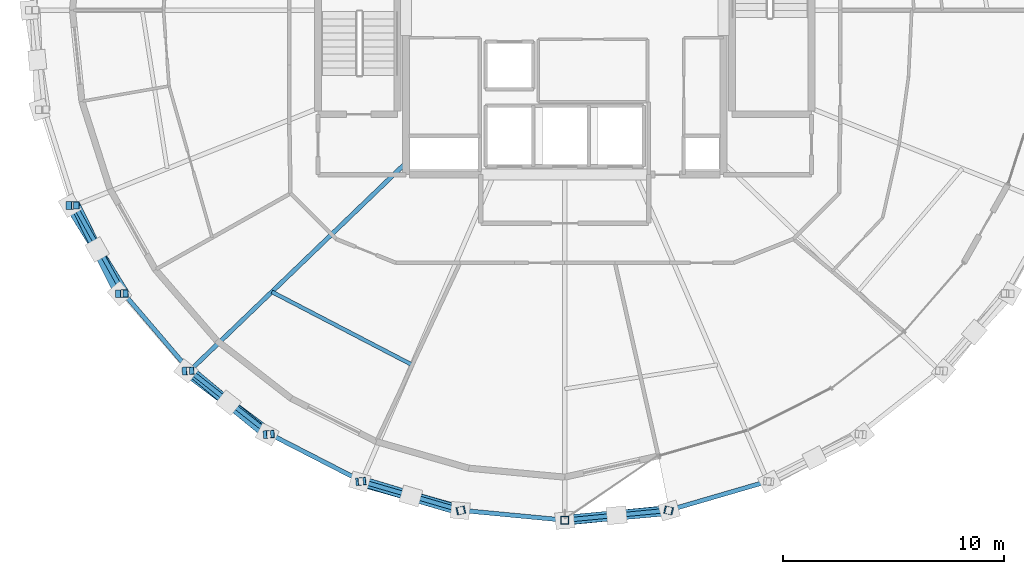
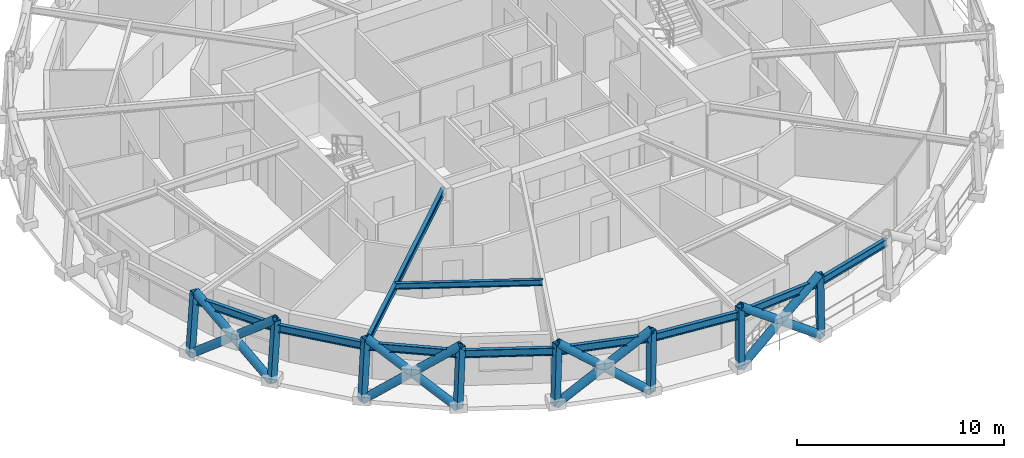
# One storey, part 1 of 18: 20 members, 10 beams.
"""IFC4 building model written with IfcOpenShell, lengths in metres."""

import ifcopenshell
import ifcopenshell.guid

model = None  # the IFC model being written
_history = None  # IfcOwnerHistory: only IFC2X3 demands one
_inside = {}  # id of a spatial element -> (the spatial element, [elements in it])
_under = {}  # id of a project, library or spatial element -> (it, [spatial elements below it])
_declared = {}  # id of a project -> (the project, [libraries it declares])
_typed = {}  # id of a type object -> (the type object, [elements of that type])
_made_of = {}  # id of a material, layer set ... -> (it, [elements and type objects made of it])


def new_model(schema):
    """Start an empty IFC model of exactly this schema.

    Asked for "IFC4X3", IfcOpenShell would pick the latest addendum, in which some entities
    have other attributes; the version numbers below select the first issue.
    IFC2X3 requires an IfcOwnerHistory on every rooted entity: one is made here for all.
    """
    global model, _history
    if schema == "IFC4X3":
        model = ifcopenshell.file(schema_version=(4, 3, 0, 0))
    else:
        model = ifcopenshell.file(schema=schema)
    _inside.clear()
    _under.clear()
    _declared.clear()
    _typed.clear()
    _made_of.clear()
    _history = None
    if model.schema == "IFC2X3":
        org = make("IfcOrganization", Name="unknown")
        user = make(
            "IfcPersonAndOrganization",
            ThePerson=make("IfcPerson", FamilyName="unknown"),
            TheOrganization=org,
        )
        app = make(
            "IfcApplication",
            ApplicationDeveloper=org,
            Version="unknown",
            ApplicationFullName="unknown",
            ApplicationIdentifier="unknown",
        )
        _history = make(
            "IfcOwnerHistory",
            OwningUser=user,
            OwningApplication=app,
            ChangeAction="ADDED",
            CreationDate=0,
        )
    return model


def make(cls, **values):
    """One entity of the class cls with the attributes given. An attribute that is None is left unset."""
    return model.create_entity(
        cls, **{name: value for name, value in values.items() if value is not None}
    )


def rooted(cls, **values):
    """An entity with a GlobalId (a new one), such as an element, a storey or a relation."""
    return make(cls, GlobalId=ifcopenshell.guid.new(), OwnerHistory=_history, **values)


def si_unit(unit_type, name, prefix=None):
    """IfcSIUnit, for example si_unit("LENGTHUNIT", "METRE", prefix="MILLI")."""
    return make("IfcSIUnit", UnitType=unit_type, Prefix=prefix, Name=name)


def assignment(units):
    """IfcUnitAssignment: the units of a project."""
    return None if units is None else make("IfcUnitAssignment", Units=units)


def point(xyz):
    """IfcCartesianPoint."""
    return None if xyz is None else make("IfcCartesianPoint", Coordinates=xyz)


def direction(xyz):
    """IfcDirection."""
    return None if xyz is None else make("IfcDirection", DirectionRatios=xyz)


def frame(location, z_axis=None, x_axis=None):
    """IfcAxis2Placement3D, a coordinate frame: its origin and axes. An axis left out is left unset."""
    return make(
        "IfcAxis2Placement3D",
        Location=point(location),
        Axis=direction(z_axis),
        RefDirection=direction(x_axis),
    )


def frame_2d(location, x_axis=None):
    """IfcAxis2Placement2D, a coordinate frame in the plane: its origin and x axis."""
    return make(
        "IfcAxis2Placement2D", Location=point(location), RefDirection=direction(x_axis)
    )


def origin():
    """The frame at (0, 0, 0) with its axes left unset."""
    return frame((0.0, 0.0, 0.0))


def origin_2d():
    """The frame at (0, 0) in the plane with its x axis left unset."""
    return frame_2d((0.0, 0.0))


def place(relative_to, where):
    """IfcLocalPlacement: puts the frame where relative to a parent placement (None: the world)."""
    return make(
        "IfcLocalPlacement", PlacementRelTo=relative_to, RelativePlacement=where
    )


def context(
    kind, dimensions, precision=None, world=None, true_north=None, identifier=None
):
    """IfcGeometricRepresentationContext, for example the 3D "Model" context."""
    return make(
        "IfcGeometricRepresentationContext",
        ContextIdentifier=identifier,
        ContextType=kind,
        CoordinateSpaceDimension=dimensions,
        Precision=precision,
        WorldCoordinateSystem=world,
        TrueNorth=true_north,
    )


def subcontext(parent, identifier, kind, view, scale=None):
    """IfcGeometricRepresentationSubContext, for example "Body" below "Model"."""
    return make(
        "IfcGeometricRepresentationSubContext",
        ContextIdentifier=identifier,
        ContextType=kind,
        ParentContext=parent,
        TargetScale=scale,
        TargetView=view,
    )


def project(units=None, contexts=None):
    """IfcProject with its units and contexts."""
    return rooted(
        "IfcProject",
        Name="project",
        RepresentationContexts=contexts,
        UnitsInContext=assignment(units),
    )


def spatial(cls, under=None, at=None, **own):
    """A site, building, storey or space (cls), placed at a placement, below another one or the project."""
    s = rooted(cls, ObjectPlacement=at, **own)
    if under is not None:
        _under.setdefault(under.id(), (under, []))[1].append(s)
    return s


def profile(cls, at=None, kind="AREA", **sizes):
    """A parametric profile (cls). Its sizes go by their IFC names, for example OverallWidth=200.0."""
    return make(cls, ProfileType=kind, Position=at, **sizes)


def hollow_rectangle(**sizes):
    """IfcRectangleHollowProfileDef."""
    return profile("IfcRectangleHollowProfileDef", **sizes)


def hollow_circle(**sizes):
    """IfcCircleHollowProfileDef."""
    return profile("IfcCircleHollowProfileDef", **sizes)


def i_section(**sizes):
    """IfcIShapeProfileDef."""
    return profile("IfcIShapeProfileDef", **sizes)


def extrude(swept, where, along, depth):
    """IfcExtrudedAreaSolid: the profile swept, set in the frame where, extruded along a direction by depth."""
    return make(
        "IfcExtrudedAreaSolid",
        SweptArea=swept,
        Position=where,
        ExtrudedDirection=direction(along),
        Depth=depth,
    )


def shape(context_of_items, identifier, shape_type, items):
    """IfcShapeRepresentation: the items that make up one representation, for example the "Body"."""
    return make(
        "IfcShapeRepresentation",
        ContextOfItems=context_of_items,
        RepresentationIdentifier=identifier,
        RepresentationType=shape_type,
        Items=items,
    )


def material(Name=None, Category=None):
    """IfcMaterial."""
    return make("IfcMaterial", Name=Name, Category=Category)


def material_profile(
    of_material, cross_section, Name=None, Category=None, Priority=None
):
    """IfcMaterialProfile: a cross section and its material."""
    return make(
        "IfcMaterialProfile",
        Name=Name,
        Material=of_material,
        Profile=cross_section,
        Priority=Priority,
        Category=Category,
    )


def profile_set(profiles, Name=None, composite=None):
    """IfcMaterialProfileSet."""
    return make(
        "IfcMaterialProfileSet",
        Name=Name,
        MaterialProfiles=profiles,
        CompositeProfile=composite,
    )


def made_of(thing, what):
    """Note that an element or type object is made of a material, layer set ...; save() writes the relation."""
    if what is not None:
        _made_of.setdefault(what.id(), (what, []))[1].append(thing)
    return thing


def type_object(cls, material=None, **own):
    """A type object (cls), such as IfcWallType, which elements share."""
    return made_of(rooted(cls, **own), material)


def element(
    cls,
    number,
    at=None,
    inside=None,
    cuts=None,
    type_object=None,
    material=None,
    context=None,
    identifier="Body",
    shape_type=None,
    held_by="IfcProductDefinitionShape",
    body=None,
    shapes=None,
    **own,
):
    """One element of the class cls, such as IfcWall. Its Tag is "e" and its number.

    at: its placement. inside: the storey or other place that contains it. cuts: it is an
    opening in that element (IfcRelVoidsElement). A single representation is given by context,
    identifier, shape_type and body (its items); several are given by shapes. held_by: the class
    of the entity that holds the representations. save() writes the other relations.
    """
    e = rooted(cls, Tag="e%d" % number, ObjectPlacement=at, **own)
    if body is not None:
        shapes = [shape(context, identifier, shape_type, body)]
    if shapes is not None:
        e.Representation = make(held_by, Representations=shapes)
    if inside is not None:
        _inside.setdefault(inside.id(), (inside, []))[1].append(e)
    if cuts is not None:
        rooted(
            "IfcRelVoidsElement", RelatingBuildingElement=cuts, RelatedOpeningElement=e
        )
    if type_object is not None:
        _typed.setdefault(type_object.id(), (type_object, []))[1].append(e)
    return made_of(e, material)


def aggregate(whole, parts):
    """IfcRelAggregates: a whole, such as a stair, and the parts it consists of."""
    return rooted("IfcRelAggregates", RelatingObject=whole, RelatedObjects=parts)


def save(model, path):
    """Write the relations noted so far, then the file.

    IfcRelAggregates (storeys below a building ...), IfcRelContainedInSpatialStructure (elements
    in a storey), IfcRelDefinesByType, IfcRelAssociatesMaterial and IfcRelDeclares: one each for
    every whole, place, type object, material and project.
    """
    for whole, parts in _under.values():
        aggregate(whole, parts)
    for where, things in _inside.values():
        rooted(
            "IfcRelContainedInSpatialStructure",
            RelatedElements=things,
            RelatingStructure=where,
        )
    for kind, things in _typed.values():
        rooted("IfcRelDefinesByType", RelatedObjects=things, RelatingType=kind)
    for what, things in _made_of.values():
        rooted("IfcRelAssociatesMaterial", RelatedObjects=things, RelatingMaterial=what)
    for by, libraries in _declared.values():
        rooted("IfcRelDeclares", RelatingContext=by, RelatedDefinitions=libraries)
    model.write(path)


model = new_model("IFC4")

# Units and contexts
model_context = context("Model", 3, precision=1e-05, world=origin(), true_north=direction((0.0, 1.0)))
body_context = subcontext(model_context, "Body", "Model", "MODEL_VIEW")
ifc_project = project(units=[si_unit("LENGTHUNIT", "METRE"), si_unit("AREAUNIT", "SQUARE_METRE"), si_unit("VOLUMEUNIT", "CUBIC_METRE"), si_unit("PLANEANGLEUNIT", "RADIAN"), si_unit("MASSUNIT", "GRAM", prefix="KILO")], contexts=[model_context])

# Site, building, storey
site_placement = place(None, origin())
site = spatial("IfcSite", under=ifc_project, at=site_placement, CompositionType="ELEMENT")
building_placement = place(site_placement, origin())
building = spatial("IfcBuilding", under=site, at=building_placement, Name="Veldorina Hangang Commons", CompositionType="ELEMENT")
storey_placement = place(building_placement, frame((0.0, 0.0, 232.800048828125)))
storey = spatial("IfcBuildingStorey", under=building, at=storey_placement, Name="L60", CompositionType="ELEMENT", Elevation=232.800048828125)

# Beams
ifc_material = material(Name="Steel SM355-TMC", Category="steel")
ifc_material_profile_1 = material_profile(ifc_material, i_section(OverallWidth=0.199951171875, OverallDepth=0.39990234375, WebThickness=0.008056640625, FlangeThickness=0.012939453125, FilletRadius=0.012939453125, at=origin_2d()), Name="H-400x200x8x13")
ifc_profile_set_1 = profile_set([ifc_material_profile_1], Name="Steel SM355-TMC")
beam_type_1 = type_object("IfcBeamType", Name="BM-FG400", PredefinedType="BEAM", material=ifc_profile_set_1)
beam_1_placement = place(storey_placement, frame((24.800048828125, 17.07666015625, 3.159912109375), z_axis=(-0.720817870164, -0.693124518433, 0.0), x_axis=(0.693124518433, -0.720817870164, 0.0)))
element("IfcBeam", 1, at=beam_1_placement, inside=storey, type_object=beam_type_1, Name="L60 radial floor girder 11", PredefinedType="BEAM", context=body_context, shape_type="SweptSolid", body=[
    extrude(i_section(OverallWidth=0.199951171875, OverallDepth=0.39990234375, WebThickness=0.008056640625, FlangeThickness=0.012939453125, FilletRadius=0.012939453125, at=origin_2d()), origin(), (0.0, 0.0, 1.0), 13.585205078125),
])
ifc_material_profile_2 = material_profile(ifc_material, i_section(OverallWidth=0.175048828125, OverallDepth=0.35009765625, WebThickness=0.007080078125, FlangeThickness=0.010986328125, FilletRadius=0.012939453125, at=origin_2d()), Name="H-350x175x7x11")
ifc_profile_set_2 = profile_set([ifc_material_profile_2], Name="Steel SM355-TMC")
beam_type_2 = type_object("IfcBeamType", Name="BM-JST350", PredefinedType="JOIST", material=ifc_profile_set_2)
beam_2_placement = place(storey_placement, frame((18.728759765625, 11.238525390625, 3.18505859375), z_axis=(0.887010120616, -0.461749982051, 0.0), x_axis=(0.461749982051, 0.887010120616, 0.0)))
element("IfcBeam", 2, at=beam_2_placement, inside=storey, type_object=beam_type_2, Name="L60 secondary floor joist 11", PredefinedType="JOIST", context=body_context, shape_type="SweptSolid", body=[
    extrude(i_section(OverallWidth=0.175048828125, OverallDepth=0.35009765625, WebThickness=0.007080078125, FlangeThickness=0.010986328125, FilletRadius=0.012939453125, at=origin_2d()), origin(), (0.0, 0.0, 1.0), 7.158935546875),
])
ifc_material_profile_3 = material_profile(ifc_material, i_section(OverallWidth=0.199951171875, OverallDepth=0.449951171875, WebThickness=0.009033203125, FlangeThickness=0.013916015625, FilletRadius=0.01611328125, at=origin_2d()), Name="H-450x200x9x14")
ifc_profile_set_3 = profile_set([ifc_material_profile_3], Name="Steel SM355-TMC")
beam_type_3 = type_object("IfcBeamType", Name="BM-RB450", PredefinedType="BEAM", material=ifc_profile_set_3)
beam_3_placement = place(storey_placement, frame((9.798095703125, 15.156982421875, 3.135009765625), z_axis=(0.485865143096, -0.874033788091, 0.0), x_axis=(0.874033788091, 0.485865143096, 0.0)))
element("IfcBeam", 3, at=beam_3_placement, inside=storey, type_object=beam_type_3, Name="L60 perimeter hoop ring beam 18", PredefinedType="BEAM", context=body_context, shape_type="SweptSolid", body=[
    extrude(i_section(OverallWidth=0.199951171875, OverallDepth=0.449951171875, WebThickness=0.009033203125, FlangeThickness=0.013916015625, FilletRadius=0.01611328125, at=origin_2d()), origin(), (0.0, 0.0, 1.0), 4.570556640625),
])
beam_4_placement = place(storey_placement, frame((12.018798828125, 11.162109375, 3.135009765625), z_axis=(0.649200277613, -0.760617511991, 0.0), x_axis=(0.760617511991, 0.649200277613, 0.0)))
element("IfcBeam", 4, at=beam_4_placement, inside=storey, type_object=beam_type_3, Name="L60 perimeter hoop ring beam 19", PredefinedType="BEAM", context=body_context, shape_type="SweptSolid", body=[
    extrude(i_section(OverallWidth=0.199951171875, OverallDepth=0.449951171875, WebThickness=0.009033203125, FlangeThickness=0.013916015625, FilletRadius=0.01611328125, at=origin_2d()), origin(), (0.0, 0.0, 1.0), 4.603759765625),
])
beam_5_placement = place(storey_placement, frame((15.007568359375, 7.660400390625, 3.135009765625), z_axis=(0.785005340237, -0.619488995705, 0.0), x_axis=(0.619488995705, 0.785005340237, 0.0)))
element("IfcBeam", 5, at=beam_5_placement, inside=storey, type_object=beam_type_3, Name="L60 perimeter hoop ring beam 20", PredefinedType="BEAM", context=body_context, shape_type="SweptSolid", body=[
    extrude(i_section(OverallWidth=0.199951171875, OverallDepth=0.449951171875, WebThickness=0.009033203125, FlangeThickness=0.013916015625, FilletRadius=0.01611328125, at=origin_2d()), origin(), (0.0, 0.0, 1.0), 4.638916015625),
])
beam_6_placement = place(storey_placement, frame((18.649169921875, 4.78662109375, 3.135009765625), z_axis=(0.889406812659, -0.457116529559, 0.0), x_axis=(0.457116529559, 0.889406812659, 0.0)))
element("IfcBeam", 6, at=beam_6_placement, inside=storey, type_object=beam_type_3, Name="L60 perimeter hoop ring beam 21", PredefinedType="BEAM", context=body_context, shape_type="SweptSolid", body=[
    extrude(i_section(OverallWidth=0.199951171875, OverallDepth=0.449951171875, WebThickness=0.009033203125, FlangeThickness=0.013916015625, FilletRadius=0.01611328125, at=origin_2d()), origin(), (0.0, 0.0, 1.0), 4.671142578125),
])
beam_7_placement = place(storey_placement, frame((22.8037109375, 2.6513671875, 3.135009765625), z_axis=(0.959994759243, -0.280017967684, 0.0), x_axis=(0.280017967684, 0.959994759243, 0.0)))
element("IfcBeam", 7, at=beam_7_placement, inside=storey, type_object=beam_type_3, Name="L60 perimeter hoop ring beam 22", PredefinedType="BEAM", context=body_context, shape_type="SweptSolid", body=[
    extrude(i_section(OverallWidth=0.199951171875, OverallDepth=0.449951171875, WebThickness=0.009033203125, FlangeThickness=0.013916015625, FilletRadius=0.01611328125, at=origin_2d()), origin(), (0.0, 0.0, 1.0), 4.69580078125),
])
for number, where, z_axis, x_axis, name in (
    (8, (27.311767578125, 1.33642578125, 3.135009765625), (0.995543575361, -0.094302648731, 0.0), (0.094302648731, 0.995543575361, 0.0), "L60 perimeter hoop ring beam 23"),
    (9, (32.0, 0.892333984375, 3.135009765625), (0.995543575361, 0.094302648731, 0.0), (-0.094302648731, 0.995543575361, 0.0), "L60 perimeter hoop ring beam 24"),
):
    element("IfcBeam", number, at=place(storey_placement, frame(where, z_axis=z_axis, x_axis=x_axis)), inside=storey, type_object=beam_type_3, Name=name, PredefinedType="BEAM", context=body_context, shape_type="SweptSolid", body=[
        extrude(i_section(OverallWidth=0.199951171875, OverallDepth=0.449951171875, WebThickness=0.009033203125, FlangeThickness=0.013916015625, FilletRadius=0.01611328125, at=origin_2d()), origin(), (0.0, 0.0, 1.0), 4.709228515625),
    ])
beam_8_placement = place(storey_placement, frame((36.688232421875, 1.33642578125, 3.135009765625), z_axis=(0.959994759243, 0.280017967684, 0.0), x_axis=(-0.280017967684, 0.959994759243, 0.0)))
element("IfcBeam", 10, at=beam_8_placement, inside=storey, type_object=beam_type_3, Name="L60 perimeter hoop ring beam 25", PredefinedType="BEAM", context=body_context, shape_type="SweptSolid", body=[
    extrude(i_section(OverallWidth=0.199951171875, OverallDepth=0.449951171875, WebThickness=0.009033203125, FlangeThickness=0.013916015625, FilletRadius=0.01611328125, at=origin_2d()), origin(), (0.0, 0.0, 1.0), 4.69580078125),
])

# Members
ifc_material_profile_4 = material_profile(ifc_material, hollow_circle(Radius=0.22509765625, WallThickness=0.02197265625, at=origin_2d()), Name="CHS-450x22")
ifc_profile_set_4 = profile_set([ifc_material_profile_4], Name="Steel SM355-TMC")
member_type_1 = type_object("IfcMemberType", Name="DG-CHS450", PredefinedType="BRACE", material=ifc_profile_set_4)
member_1_placement = place(storey_placement, frame((9.581298828125, 15.153076171875, 0.0), z_axis=(0.417133330205, -0.674812149744, 0.608792532304), x_axis=(0.850607689208, 0.525800873964, 0.0)))
element("IfcMember", 11, at=member_1_placement, inside=storey, type_object=member_type_1, Name="L60 continuous perimeter diagrid brace 18", PredefinedType="BRACE", context=body_context, shape_type="SweptSolid", body=[
    extrude(hollow_circle(Radius=0.22509765625, WallThickness=0.02197265625, at=origin_2d()), origin(), (0.0, 0.0, 1.0), 5.9130859375),
])
member_2_placement = place(storey_placement, frame((11.823486328125, 11.15625, 0.0), z_axis=(-0.35044607001, 0.695454916147, 0.627319704474), x_axis=(-0.893026454381, -0.45000416862, 0.0)))
element("IfcMember", 12, at=member_2_placement, inside=storey, type_object=member_type_1, Name="L60 split perimeter diagrid lower brace 19", PredefinedType="BRACE", context=body_context, shape_type="SweptSolid", body=[
    extrude(hollow_circle(Radius=0.22509765625, WallThickness=0.02197265625, at=origin_2d()), origin(), (0.0, 0.0, 1.0), 2.873779296875),
])
member_3_placement = place(storey_placement, frame((10.81640625, 13.15478515625, 1.802734375), z_axis=(-0.344067613613, 0.698868705641, 0.627056623869), x_axis=(-0.897166009197, -0.441693504528, 0.0)))
element("IfcMember", 13, at=member_3_placement, inside=storey, type_object=member_type_1, Name="L60 split perimeter diagrid upper brace 19", PredefinedType="BRACE", context=body_context, shape_type="SweptSolid", body=[
    extrude(hollow_circle(Radius=0.22509765625, WallThickness=0.02197265625, at=origin_2d()), origin(), (0.0, 0.0, 1.0), 2.865966796875),
])
member_4_placement = place(storey_placement, frame((14.84130859375, 7.653076171875, 0.0), z_axis=(0.639510682812, -0.478735510513, 0.601530047082), x_axis=(0.599280722919, 0.800538952917, 0.0)))
element("IfcMember", 14, at=member_4_placement, inside=storey, type_object=member_type_1, Name="L60 continuous perimeter diagrid brace 20", PredefinedType="BRACE", context=body_context, shape_type="SweptSolid", body=[
    extrude(hollow_circle(Radius=0.22509765625, WallThickness=0.02197265625, at=origin_2d()), origin(), (0.0, 0.0, 1.0), 5.984375),
])
member_5_placement = place(storey_placement, frame((18.5185546875, 4.77783203125, 0.0), z_axis=(-0.605591415557, 0.495514487882, 0.622675220081), x_axis=(-0.633261216952, -0.773938131316, 0.0)))
element("IfcMember", 15, at=member_5_placement, inside=storey, type_object=member_type_1, Name="L60 split perimeter diagrid lower brace 21", PredefinedType="BRACE", context=body_context, shape_type="SweptSolid", body=[
    extrude(hollow_circle(Radius=0.22509765625, WallThickness=0.02197265625, at=origin_2d()), origin(), (0.0, 0.0, 1.0), 2.901123046875),
])
member_6_placement = place(storey_placement, frame((16.76171875, 6.21533203125, 1.806396484375), z_axis=(-0.600392000375, 0.502007369121, 0.622509475618), x_axis=(-0.641450937382, -0.767164059985, 0.0)))
element("IfcMember", 16, at=member_6_placement, inside=storey, type_object=member_type_1, Name="L60 split perimeter diagrid upper brace 21", PredefinedType="BRACE", context=body_context, shape_type="SweptSolid", body=[
    extrude(hollow_circle(Radius=0.22509765625, WallThickness=0.02197265625, at=origin_2d()), origin(), (0.0, 0.0, 1.0), 2.881103515625),
])
member_7_placement = place(storey_placement, frame((22.7138671875, 2.6416015625, 0.0), z_axis=(0.76892906559, -0.217702200851, 0.601127144484), x_axis=(0.272416035454, 0.962179558932, 0.0)))
element("IfcMember", 17, at=member_7_placement, inside=storey, type_object=member_type_1, Name="L60 continuous perimeter diagrid brace 22", PredefinedType="BRACE", context=body_context, shape_type="SweptSolid", body=[
    extrude(hollow_circle(Radius=0.22509765625, WallThickness=0.02197265625, at=origin_2d()), origin(), (0.0, 0.0, 1.0), 5.988525390625),
])
member_8_placement = place(storey_placement, frame((27.26611328125, 1.325927734375, 0.0), z_axis=(-0.757955846818, 0.223657746879, 0.61276434829), x_axis=(-0.283015890758, -0.959115220179, 0.0)))
element("IfcMember", 18, at=member_8_placement, inside=storey, type_object=member_type_1, Name="L60 split perimeter diagrid lower brace 23", PredefinedType="BRACE", context=body_context, shape_type="SweptSolid", body=[
    extrude(hollow_circle(Radius=0.22509765625, WallThickness=0.02197265625, at=origin_2d()), origin(), (0.0, 0.0, 1.0), 2.95263671875),
])
member_9_placement = place(storey_placement, frame((25.028076171875, 1.986328125, 1.809326171875), z_axis=(-0.756685581288, 0.227999884215, 0.612734023757), x_axis=(-0.2885018356, -0.95747934226, 0.0)))
element("IfcMember", 19, at=member_9_placement, inside=storey, type_object=member_type_1, Name="L60 split perimeter diagrid upper brace 23", PredefinedType="BRACE", context=body_context, shape_type="SweptSolid", body=[
    extrude(hollow_circle(Radius=0.22509765625, WallThickness=0.02197265625, at=origin_2d()), origin(), (0.0, 0.0, 1.0), 2.922119140625),
])
member_10_placement = place(storey_placement, frame((32.0, 0.8818359375, 0.0), z_axis=(0.790370551274, 0.076996724369, 0.607771253117), x_axis=(-0.096959509492, 0.995288326827, 0.0)))
element("IfcMember", 20, at=member_10_placement, inside=storey, type_object=member_type_1, Name="L60 continuous perimeter diagrid brace 24", PredefinedType="BRACE", context=body_context, shape_type="SweptSolid", body=[
    extrude(hollow_circle(Radius=0.22509765625, WallThickness=0.02197265625, at=origin_2d()), origin(), (0.0, 0.0, 1.0), 5.923095703125),
])
member_11_placement = place(storey_placement, frame((36.73388671875, 1.325927734375, 0.0), z_axis=(-0.793928317709, -0.071664470159, 0.603773161093), x_axis=(0.089900162929, -0.995950782271, 0.0)))
element("IfcMember", 21, at=member_11_placement, inside=storey, type_object=member_type_1, Name="L60 split perimeter diagrid lower brace 25", PredefinedType="BRACE", context=body_context, shape_type="SweptSolid", body=[
    extrude(hollow_circle(Radius=0.22509765625, WallThickness=0.02197265625, at=origin_2d()), origin(), (0.0, 0.0, 1.0), 2.997802734375),
])
member_12_placement = place(storey_placement, frame((34.353759765625, 1.111083984375, 1.81005859375), z_axis=(-0.793868977209, -0.073285280543, 0.603656619844), x_axis=(0.091923226486, -0.99576609725, 0.0)))
element("IfcMember", 22, at=member_12_placement, inside=storey, type_object=member_type_1, Name="L60 split perimeter diagrid upper brace 25", PredefinedType="BRACE", context=body_context, shape_type="SweptSolid", body=[
    extrude(hollow_circle(Radius=0.22509765625, WallThickness=0.02197265625, at=origin_2d()), origin(), (0.0, 0.0, 1.0), 2.96484375),
])
ifc_material_profile_5 = material_profile(ifc_material, hollow_rectangle(XDim=0.35009765625, YDim=0.35009765625, WallThickness=0.01611328125, at=origin_2d()), Name="SHS-350x350x16")
ifc_profile_set_5 = profile_set([ifc_material_profile_5], Name="Steel SM355-TMC")
member_type_2 = type_object("IfcMemberType", Name="STR-SHS350", PredefinedType="STRUT", material=ifc_profile_set_5)
member_13_placement = place(storey_placement, frame((9.581298828125, 15.153076171875, 0.0), z_axis=(0.069011011957, 0.001285499242, 0.997615069914), x_axis=(-0.018624220127, 0.999826554171, 0.0)))
element("IfcMember", 23, at=member_13_placement, inside=storey, type_object=member_type_2, Name="L60 perimeter ring node post 18", PredefinedType="STRUT", context=body_context, shape_type="SweptSolid", body=[
    extrude(hollow_rectangle(XDim=0.35009765625, YDim=0.35009765625, WallThickness=0.01611328125, at=origin_2d()), origin(), (0.0, 0.0, 1.0), 3.6083984375),
])
member_14_placement = place(storey_placement, frame((11.823486328125, 11.15625, 0.0), z_axis=(0.062205405082, 0.00182757991, 0.998061695252), x_axis=(-0.029367088943, 0.999568694031, 0.0)))
element("IfcMember", 24, at=member_14_placement, inside=storey, type_object=member_type_2, Name="L60 perimeter ring node post 19", PredefinedType="STRUT", context=body_context, shape_type="SweptSolid", body=[
    extrude(hollow_rectangle(XDim=0.35009765625, YDim=0.35009765625, WallThickness=0.01611328125, at=origin_2d()), origin(), (0.0, 0.0, 1.0), 3.60693359375),
])
member_15_placement = place(storey_placement, frame((14.84130859375, 7.653076171875, 0.0), z_axis=(0.052892814881, 0.002370356621, 0.998597382103), x_axis=(-0.044769407375, 0.998997347426, 0.0)))
element("IfcMember", 25, at=member_15_placement, inside=storey, type_object=member_type_2, Name="L60 perimeter ring node post 20", PredefinedType="STRUT", context=body_context, shape_type="SweptSolid", body=[
    extrude(hollow_rectangle(XDim=0.35009765625, YDim=0.35009765625, WallThickness=0.01611328125, at=origin_2d()), origin(), (0.0, 0.0, 1.0), 3.60498046875),
])
member_16_placement = place(storey_placement, frame((18.5185546875, 4.77783203125, 0.0), z_axis=(0.04160500992, 0.002845945304, 0.999130083495), x_axis=(-0.06824443404, 0.99766863097, 0.0)))
element("IfcMember", 26, at=member_16_placement, inside=storey, type_object=member_type_2, Name="L60 perimeter ring node post 21", PredefinedType="STRUT", context=body_context, shape_type="SweptSolid", body=[
    extrude(hollow_rectangle(XDim=0.35009765625, YDim=0.35009765625, WallThickness=0.01611328125, at=origin_2d()), origin(), (0.0, 0.0, 1.0), 3.60302734375),
])
member_17_placement = place(storey_placement, frame((22.7138671875, 2.6416015625, 0.0), z_axis=(0.028608023995, 0.003050618672, 0.999586051668), x_axis=(-0.106033917323, 0.994362513562, 0.0)))
element("IfcMember", 27, at=member_17_placement, inside=storey, type_object=member_type_2, Name="L60 perimeter ring node post 22", PredefinedType="STRUT", context=body_context, shape_type="SweptSolid", body=[
    extrude(hollow_rectangle(XDim=0.35009765625, YDim=0.35009765625, WallThickness=0.01611328125, at=origin_2d()), origin(), (0.0, 0.0, 1.0), 3.601318359375),
])
member_18_placement = place(storey_placement, frame((27.26611328125, 1.325927734375, 0.0), z_axis=(0.014579583662, 0.003322788835, 0.999888191157), x_axis=(-0.222209083001, 0.974999037657, 0.0)))
element("IfcMember", 28, at=member_18_placement, inside=storey, type_object=member_type_2, Name="L60 perimeter ring node post 23", PredefinedType="STRUT", context=body_context, shape_type="SweptSolid", body=[
    extrude(hollow_rectangle(XDim=0.35009765625, YDim=0.35009765625, WallThickness=0.01611328125, at=origin_2d()), origin(), (0.0, 0.0, 1.0), 3.600341796875),
])
member_19_placement = place(storey_placement, frame((32.0, 0.8818359375, 0.0), z_axis=(0.0, 0.003323142044, 0.999994478348), x_axis=(-1.0, 0.0, 0.0)))
element("IfcMember", 29, at=member_19_placement, inside=storey, type_object=member_type_2, Name="L60 perimeter ring node post 24", PredefinedType="STRUT", context=body_context, shape_type="SweptSolid", body=[
    extrude(hollow_rectangle(XDim=0.35009765625, YDim=0.35009765625, WallThickness=0.01611328125, at=origin_2d()), origin(), (0.0, 0.0, 1.0), 3.599853515625),
])
member_20_placement = place(storey_placement, frame((36.73388671875, 1.325927734375, 0.0), z_axis=(-0.014579583662, 0.003322788835, 0.999888191157), x_axis=(-0.222209083001, -0.974999037657, 0.0)))
element("IfcMember", 30, at=member_20_placement, inside=storey, type_object=member_type_2, Name="L60 perimeter ring node post 25", PredefinedType="STRUT", context=body_context, shape_type="SweptSolid", body=[
    extrude(hollow_rectangle(XDim=0.35009765625, YDim=0.35009765625, WallThickness=0.01611328125, at=origin_2d()), origin(), (0.0, 0.0, 1.0), 3.600341796875),
])

save(model, "model.ifc")
